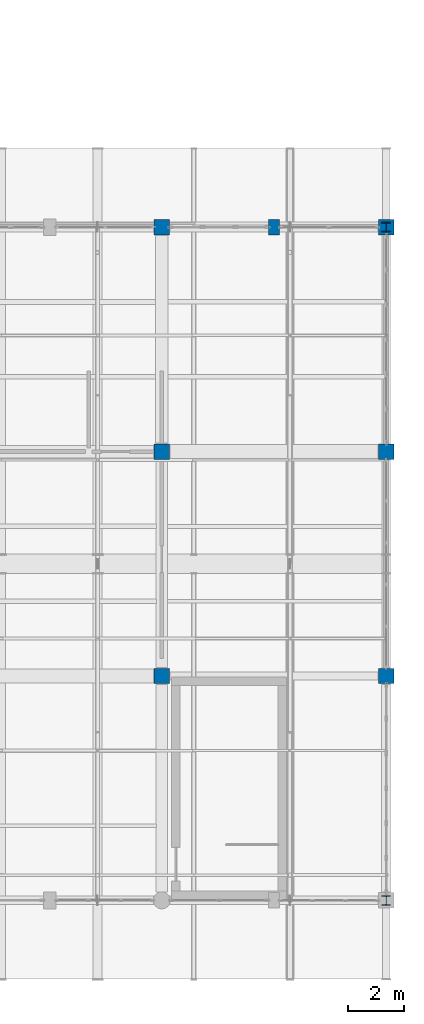
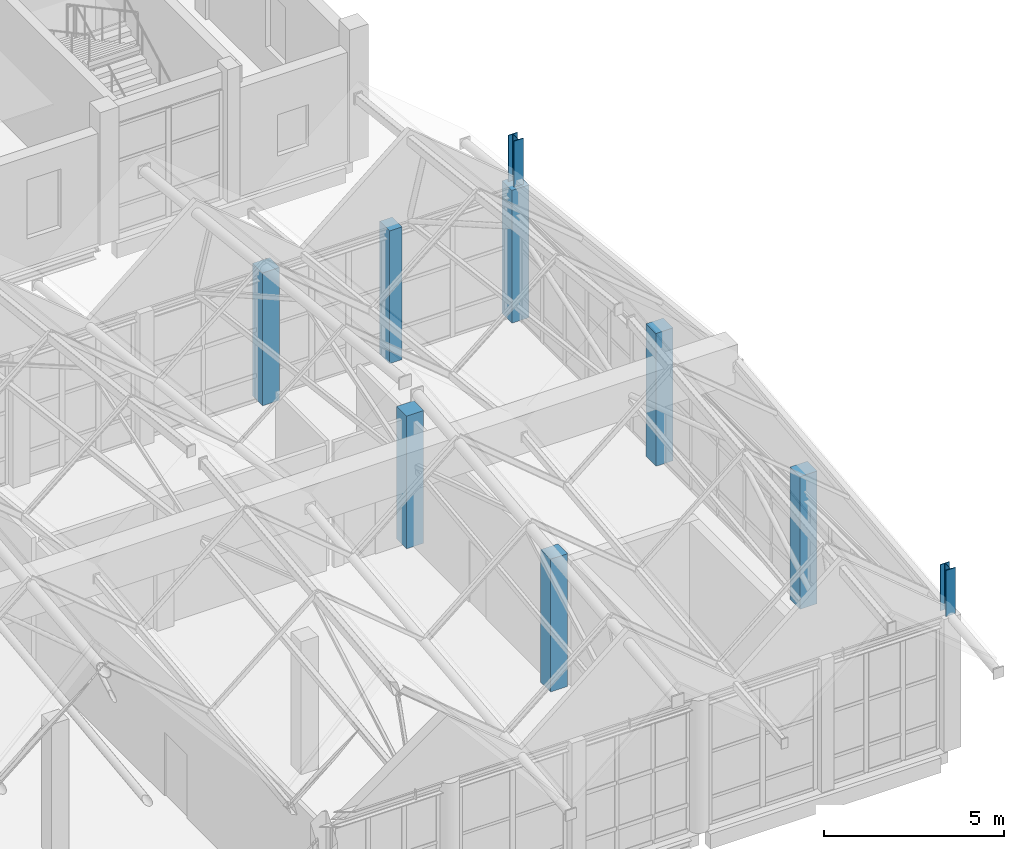
# One storey, part 10 of 183: 9 columns.
"""IFC4 building model written with IfcOpenShell, lengths in metres."""

from ifc_helpers import new_model, si_unit, direction, frame, origin, origin_2d, place, context, subcontext, project, spatial, rectangle, i_section, extrude, material, material_profile, profile_set, type_object, element, save


model = new_model("IFC4")

# Units and contexts
model_context = context("Model", 3, precision=1e-05, world=origin(), true_north=direction((0.0, 1.0)))
body_context = subcontext(model_context, "Body", "Model", "MODEL_VIEW")
ifc_project = project(units=[si_unit("LENGTHUNIT", "METRE"), si_unit("AREAUNIT", "SQUARE_METRE"), si_unit("VOLUMEUNIT", "CUBIC_METRE"), si_unit("PLANEANGLEUNIT", "RADIAN"), si_unit("MASSUNIT", "GRAM", prefix="KILO")], contexts=[model_context])

# Site, building, storey
site_placement = place(None, origin())
site = spatial("IfcSite", under=ifc_project, at=site_placement, CompositionType="ELEMENT")
building_placement = place(site_placement, origin())
building = spatial("IfcBuilding", under=site, at=building_placement, Name="Luwemba Playhouse", CompositionType="ELEMENT")
storey_placement = place(building_placement, frame((0.0, 0.0, 4.800048828125)))
storey = spatial("IfcBuildingStorey", under=building, at=storey_placement, Name="L01", CompositionType="ELEMENT", Elevation=4.800048828125)

# Columns
ifc_material_1 = material(Name="Concrete C40/50", Category="concrete")
ifc_material_profile_1 = material_profile(ifc_material_1, rectangle(XDim=0.550048828125, YDim=0.550048828125, at=origin_2d()))
ifc_profile_set_1 = profile_set([ifc_material_profile_1], Name="Concrete C40/50")
column_type_1 = type_object("IfcColumnType", Name="COL-C03", PredefinedType="COLUMN", material=ifc_profile_set_1)
for number, where, z_axis, x_axis, name in (
    (1, (164.0, 11.0, 0.0), (0.0, 0.0, 1.0), (1.0, 0.0, 0.0), "L01 column 265"),
    (2, (164.0, 19.0, 0.0), (0.0, 0.0, 1.0), (1.0, 0.0, 0.0), "L01 column 266"),
    (3, (164.0, 27.0, 0.0), (0.0, 0.0, 1.0), (1.0, 0.0, 0.0), "L01 column 267"),
    (4, (172.0, 11.0, 0.0), (0.0, 0.0, 1.0), (1.0, 0.0, 0.0), "L01 column 288"),
    (5, (172.0, 19.0, 0.0), (0.0, 0.0, 1.0), (1.0, 0.0, 0.0), "L01 column 289"),
    (6, (172.0, 27.0, 0.0), (0.0, 0.0, 1.0), (1.0, 0.0, 0.0), "L01 column 290"),
):
    element("IfcColumn", number, at=place(storey_placement, frame(where, z_axis=z_axis, x_axis=x_axis)), inside=storey, type_object=column_type_1, Name=name, PredefinedType="COLUMN", context=body_context, shape_type="SweptSolid", body=[
        extrude(rectangle(XDim=0.550048828125, YDim=0.550048828125, at=origin_2d()), origin(), (0.0, 0.0, 1.0), 4.5),
    ])
ifc_material_profile_2 = material_profile(ifc_material_1, rectangle(XDim=0.39990234375, YDim=0.550048828125, at=origin_2d()))
ifc_profile_set_2 = profile_set([ifc_material_profile_2], Name="Concrete C40/50")
column_type_2 = type_object("IfcColumnType", Name="COL-PIL1", PredefinedType="PILASTER", material=ifc_profile_set_2)
column_placement = place(storey_placement, frame((168.0, 27.0, 0.0), z_axis=(0.0, 0.0, 1.0), x_axis=(1.0, 0.0, 0.0)))
element("IfcColumn", 7, at=column_placement, inside=storey, type_object=column_type_2, Name="L01 column 280", PredefinedType="PILASTER", context=body_context, shape_type="SweptSolid", body=[
    extrude(rectangle(XDim=0.39990234375, YDim=0.550048828125, at=origin_2d()), origin(), (0.0, 0.0, 1.0), 4.5),
])
ifc_material_2 = material(Name="Steel S355", Category="steel")
ifc_material_profile_3 = material_profile(ifc_material_2, i_section(OverallWidth=0.300048828125, OverallDepth=0.340087890625, WebThickness=0.011962890625, FlangeThickness=0.021484375, FilletRadius=0.027099609375, at=origin_2d()))
ifc_profile_set_3 = profile_set([ifc_material_profile_3], Name="Steel S355")
column_type_3 = type_object("IfcColumnType", Name="COL-SC2", PredefinedType="COLUMN", material=ifc_profile_set_3)
for number, where, z_axis, x_axis, name in (
    (8, (172.0, 3.0, 4.5), (0.0, 0.0, 1.0), (1.0, 0.0, 0.0), "RF-V5E south corner apex stub"),
    (9, (172.0, 27.0, 4.5), (0.0, 0.0, 1.0), (1.0, 0.0, 0.0), "RF-V5E north corner apex stub"),
):
    element("IfcColumn", number, at=place(storey_placement, frame(where, z_axis=z_axis, x_axis=x_axis)), inside=storey, type_object=column_type_3, Name=name, PredefinedType="COLUMN", context=body_context, shape_type="SweptSolid", body=[
        extrude(i_section(OverallWidth=0.300048828125, OverallDepth=0.340087890625, WebThickness=0.011962890625, FlangeThickness=0.021484375, FilletRadius=0.027099609375, at=origin_2d()), origin(), (0.0, 0.0, 1.0), 1.56396484375),
    ])

save(model, "model.ifc")
